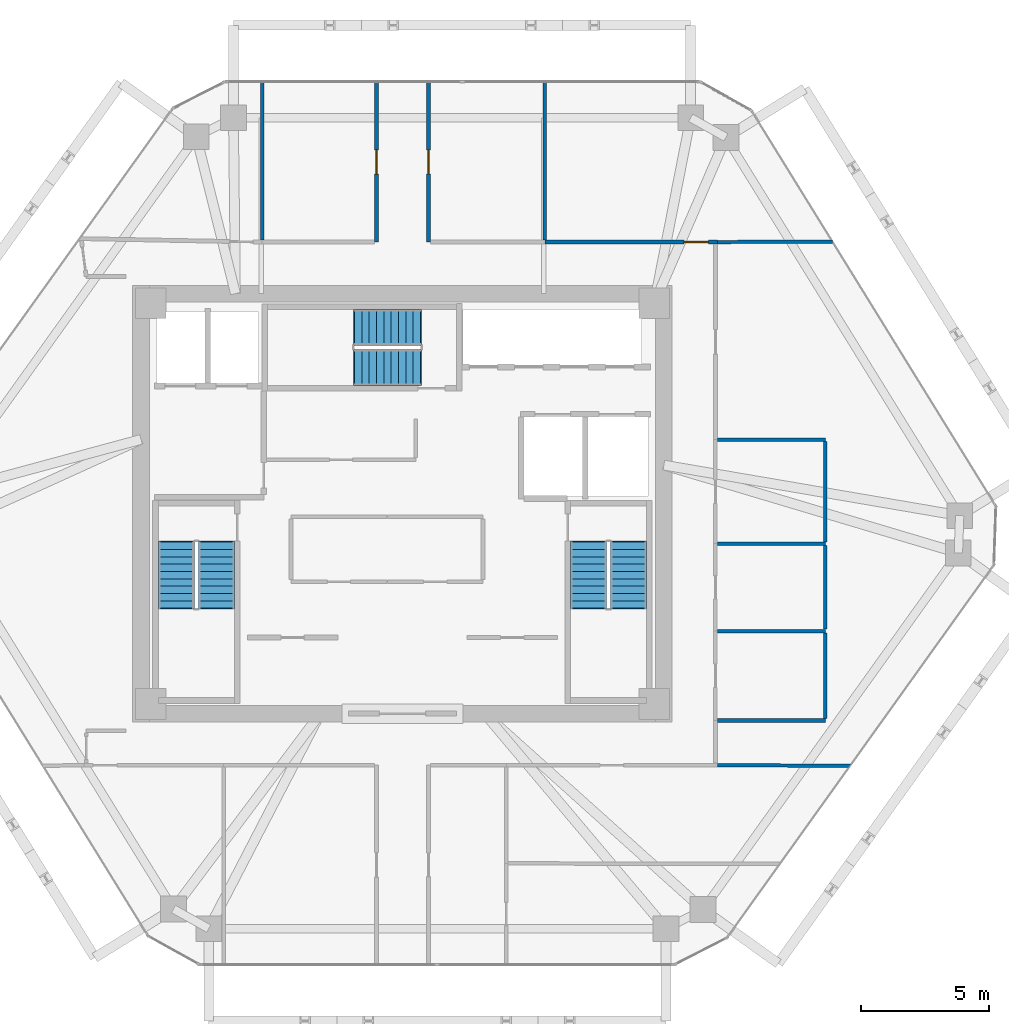
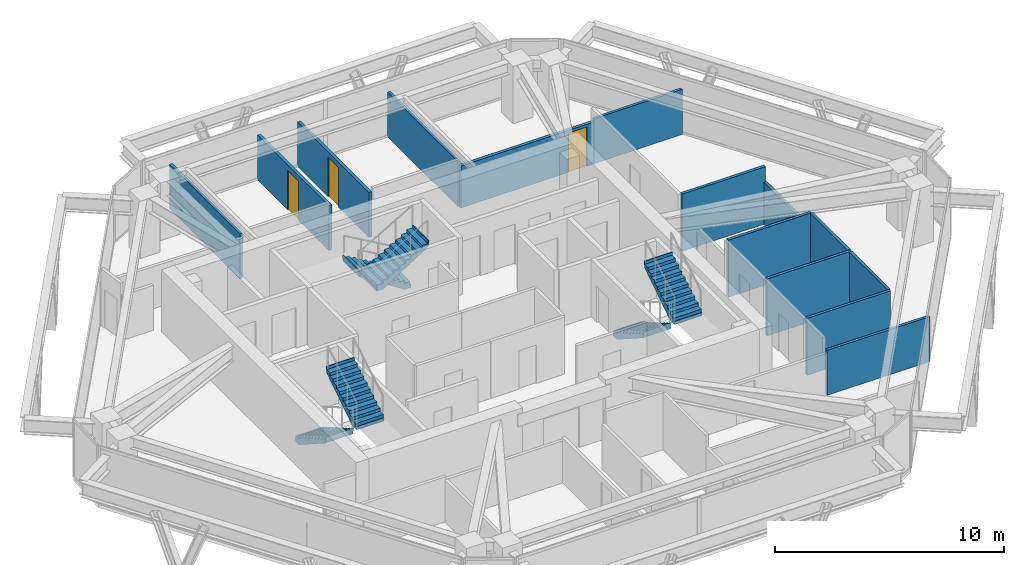
# One storey, part 10 of 11: 14 walls, 6 stair flights, 3 doors, 3 openings, 3 elements without a shape of their own.
"""IFC4 building model written with IfcOpenShell, lengths in metres."""

import ifcopenshell
import ifcopenshell.guid

model = None  # the IFC model being written
_history = None  # IfcOwnerHistory: only IFC2X3 demands one
_inside = {}  # id of a spatial element -> (the spatial element, [elements in it])
_under = {}  # id of a project, library or spatial element -> (it, [spatial elements below it])
_declared = {}  # id of a project -> (the project, [libraries it declares])
_typed = {}  # id of a type object -> (the type object, [elements of that type])
_made_of = {}  # id of a material, layer set ... -> (it, [elements and type objects made of it])


def new_model(schema):
    """Start an empty IFC model of exactly this schema.

    Asked for "IFC4X3", IfcOpenShell would pick the latest addendum, in which some entities
    have other attributes; the version numbers below select the first issue.
    IFC2X3 requires an IfcOwnerHistory on every rooted entity: one is made here for all.
    """
    global model, _history
    if schema == "IFC4X3":
        model = ifcopenshell.file(schema_version=(4, 3, 0, 0))
    else:
        model = ifcopenshell.file(schema=schema)
    _inside.clear()
    _under.clear()
    _declared.clear()
    _typed.clear()
    _made_of.clear()
    _history = None
    if model.schema == "IFC2X3":
        org = make("IfcOrganization", Name="unknown")
        user = make(
            "IfcPersonAndOrganization",
            ThePerson=make("IfcPerson", FamilyName="unknown"),
            TheOrganization=org,
        )
        app = make(
            "IfcApplication",
            ApplicationDeveloper=org,
            Version="unknown",
            ApplicationFullName="unknown",
            ApplicationIdentifier="unknown",
        )
        _history = make(
            "IfcOwnerHistory",
            OwningUser=user,
            OwningApplication=app,
            ChangeAction="ADDED",
            CreationDate=0,
        )
    return model


def make(cls, **values):
    """One entity of the class cls with the attributes given. An attribute that is None is left unset."""
    return model.create_entity(
        cls, **{name: value for name, value in values.items() if value is not None}
    )


def rooted(cls, **values):
    """An entity with a GlobalId (a new one), such as an element, a storey or a relation."""
    return make(cls, GlobalId=ifcopenshell.guid.new(), OwnerHistory=_history, **values)


def si_unit(unit_type, name, prefix=None):
    """IfcSIUnit, for example si_unit("LENGTHUNIT", "METRE", prefix="MILLI")."""
    return make("IfcSIUnit", UnitType=unit_type, Prefix=prefix, Name=name)


def assignment(units):
    """IfcUnitAssignment: the units of a project."""
    return None if units is None else make("IfcUnitAssignment", Units=units)


def point(xyz):
    """IfcCartesianPoint."""
    return None if xyz is None else make("IfcCartesianPoint", Coordinates=xyz)


def direction(xyz):
    """IfcDirection."""
    return None if xyz is None else make("IfcDirection", DirectionRatios=xyz)


def frame(location, z_axis=None, x_axis=None):
    """IfcAxis2Placement3D, a coordinate frame: its origin and axes. An axis left out is left unset."""
    return make(
        "IfcAxis2Placement3D",
        Location=point(location),
        Axis=direction(z_axis),
        RefDirection=direction(x_axis),
    )


def frame_2d(location, x_axis=None):
    """IfcAxis2Placement2D, a coordinate frame in the plane: its origin and x axis."""
    return make(
        "IfcAxis2Placement2D", Location=point(location), RefDirection=direction(x_axis)
    )


def origin():
    """The frame at (0, 0, 0) with its axes left unset."""
    return frame((0.0, 0.0, 0.0))


def place(relative_to, where):
    """IfcLocalPlacement: puts the frame where relative to a parent placement (None: the world)."""
    return make(
        "IfcLocalPlacement", PlacementRelTo=relative_to, RelativePlacement=where
    )


def context(
    kind, dimensions, precision=None, world=None, true_north=None, identifier=None
):
    """IfcGeometricRepresentationContext, for example the 3D "Model" context."""
    return make(
        "IfcGeometricRepresentationContext",
        ContextIdentifier=identifier,
        ContextType=kind,
        CoordinateSpaceDimension=dimensions,
        Precision=precision,
        WorldCoordinateSystem=world,
        TrueNorth=true_north,
    )


def subcontext(parent, identifier, kind, view, scale=None):
    """IfcGeometricRepresentationSubContext, for example "Body" below "Model"."""
    return make(
        "IfcGeometricRepresentationSubContext",
        ContextIdentifier=identifier,
        ContextType=kind,
        ParentContext=parent,
        TargetScale=scale,
        TargetView=view,
    )


def project(units=None, contexts=None):
    """IfcProject with its units and contexts."""
    return rooted(
        "IfcProject",
        Name="project",
        RepresentationContexts=contexts,
        UnitsInContext=assignment(units),
    )


def spatial(cls, under=None, at=None, **own):
    """A site, building, storey or space (cls), placed at a placement, below another one or the project."""
    s = rooted(cls, ObjectPlacement=at, **own)
    if under is not None:
        _under.setdefault(under.id(), (under, []))[1].append(s)
    return s


def polyline(points):
    """IfcPolyline through the points."""
    return make("IfcPolyline", Points=[point(p) for p in points])


def profile(cls, at=None, kind="AREA", **sizes):
    """A parametric profile (cls). Its sizes go by their IFC names, for example OverallWidth=200.0."""
    return make(cls, ProfileType=kind, Position=at, **sizes)


def rectangle(**sizes):
    """IfcRectangleProfileDef."""
    return profile("IfcRectangleProfileDef", **sizes)


def outline(outer, holes=None, kind="AREA"):
    """IfcArbitraryClosedProfileDef: a profile drawn as a closed curve; with holes, ...WithVoids."""
    if holes is None:
        return make("IfcArbitraryClosedProfileDef", ProfileType=kind, OuterCurve=outer)
    return make(
        "IfcArbitraryProfileDefWithVoids",
        ProfileType=kind,
        OuterCurve=outer,
        InnerCurves=holes,
    )


def extrude(swept, where, along, depth):
    """IfcExtrudedAreaSolid: the profile swept, set in the frame where, extruded along a direction by depth."""
    return make(
        "IfcExtrudedAreaSolid",
        SweptArea=swept,
        Position=where,
        ExtrudedDirection=direction(along),
        Depth=depth,
    )


def shape(context_of_items, identifier, shape_type, items):
    """IfcShapeRepresentation: the items that make up one representation, for example the "Body"."""
    return make(
        "IfcShapeRepresentation",
        ContextOfItems=context_of_items,
        RepresentationIdentifier=identifier,
        RepresentationType=shape_type,
        Items=items,
    )


def source(mapping_origin, context_of_items, identifier, shape_type, items):
    """IfcRepresentationMap: a shape defined once, which mapped items show again and again."""
    return make(
        "IfcRepresentationMap",
        MappingOrigin=mapping_origin,
        MappedRepresentation=shape(context_of_items, identifier, shape_type, items),
    )


def transform(
    local_origin,
    x_axis=None,
    y_axis=None,
    z_axis=None,
    scale=None,
    scale2=None,
    scale3=None,
    uniform=True,
):
    """IfcCartesianTransformationOperator3D, or its non-uniform kind. x_axis, y_axis, z_axis: its Axis1, 2, 3."""
    if uniform:
        return make(
            "IfcCartesianTransformationOperator3D",
            Axis1=direction(x_axis),
            Axis2=direction(y_axis),
            LocalOrigin=point(local_origin),
            Scale=scale,
            Axis3=direction(z_axis),
        )
    return make(
        "IfcCartesianTransformationOperator3DnonUniform",
        Axis1=direction(x_axis),
        Axis2=direction(y_axis),
        LocalOrigin=point(local_origin),
        Scale=scale,
        Axis3=direction(z_axis),
        Scale2=scale2,
        Scale3=scale3,
    )


def mapped(mapping_source, mapping_target):
    """IfcMappedItem: shows the shape of a source again, moved by a transform."""
    return make(
        "IfcMappedItem", MappingSource=mapping_source, MappingTarget=mapping_target
    )


def material(Name=None, Category=None):
    """IfcMaterial."""
    return make("IfcMaterial", Name=Name, Category=Category)


def layer(
    of_material, thickness, ventilated=None, Name=None, Category=None, Priority=None
):
    """IfcMaterialLayer: one layer of a wall or slab, of a material (None: an air gap)."""
    return make(
        "IfcMaterialLayer",
        Material=of_material,
        LayerThickness=thickness,
        IsVentilated=ventilated,
        Name=Name,
        Category=Category,
        Priority=Priority,
    )


def layer_set(layers, Name=None):
    """IfcMaterialLayerSet."""
    return make("IfcMaterialLayerSet", MaterialLayers=layers, LayerSetName=Name)


def made_of(thing, what):
    """Note that an element or type object is made of a material, layer set ...; save() writes the relation."""
    if what is not None:
        _made_of.setdefault(what.id(), (what, []))[1].append(thing)
    return thing


def type_object(cls, material=None, **own):
    """A type object (cls), such as IfcWallType, which elements share."""
    return made_of(rooted(cls, **own), material)


def type_shapes(of_type, sources):
    """Give a type object the sources (RepresentationMaps) that its elements show as mapped items."""
    of_type.RepresentationMaps = sources


def element(
    cls,
    number,
    at=None,
    inside=None,
    cuts=None,
    type_object=None,
    material=None,
    context=None,
    identifier="Body",
    shape_type=None,
    held_by="IfcProductDefinitionShape",
    body=None,
    shapes=None,
    **own,
):
    """One element of the class cls, such as IfcWall. Its Tag is "e" and its number.

    at: its placement. inside: the storey or other place that contains it. cuts: it is an
    opening in that element (IfcRelVoidsElement). A single representation is given by context,
    identifier, shape_type and body (its items); several are given by shapes. held_by: the class
    of the entity that holds the representations. save() writes the other relations.
    """
    e = rooted(cls, Tag="e%d" % number, ObjectPlacement=at, **own)
    if body is not None:
        shapes = [shape(context, identifier, shape_type, body)]
    if shapes is not None:
        e.Representation = make(held_by, Representations=shapes)
    if inside is not None:
        _inside.setdefault(inside.id(), (inside, []))[1].append(e)
    if cuts is not None:
        rooted(
            "IfcRelVoidsElement", RelatingBuildingElement=cuts, RelatedOpeningElement=e
        )
    if type_object is not None:
        _typed.setdefault(type_object.id(), (type_object, []))[1].append(e)
    return made_of(e, material)


def fill(opening, filler):
    """IfcRelFillsElement: the door or window that sits in an opening."""
    return rooted(
        "IfcRelFillsElement",
        RelatingOpeningElement=opening,
        RelatedBuildingElement=filler,
    )


def aggregate(whole, parts):
    """IfcRelAggregates: a whole, such as a stair, and the parts it consists of."""
    return rooted("IfcRelAggregates", RelatingObject=whole, RelatedObjects=parts)


def save(model, path):
    """Write the relations noted so far, then the file.

    IfcRelAggregates (storeys below a building ...), IfcRelContainedInSpatialStructure (elements
    in a storey), IfcRelDefinesByType, IfcRelAssociatesMaterial and IfcRelDeclares: one each for
    every whole, place, type object, material and project.
    """
    for whole, parts in _under.values():
        aggregate(whole, parts)
    for where, things in _inside.values():
        rooted(
            "IfcRelContainedInSpatialStructure",
            RelatedElements=things,
            RelatingStructure=where,
        )
    for kind, things in _typed.values():
        rooted("IfcRelDefinesByType", RelatedObjects=things, RelatingType=kind)
    for what, things in _made_of.values():
        rooted("IfcRelAssociatesMaterial", RelatedObjects=things, RelatingMaterial=what)
    for by, libraries in _declared.values():
        rooted("IfcRelDeclares", RelatingContext=by, RelatedDefinitions=libraries)
    model.write(path)


model = new_model("IFC4")

# Units and contexts
model_context = context("Model", 3, precision=1e-05, world=origin(), true_north=direction((0.0, 1.0)))
body_context = subcontext(model_context, "Body", "Model", "MODEL_VIEW")
ifc_project = project(units=[si_unit("LENGTHUNIT", "METRE"), si_unit("AREAUNIT", "SQUARE_METRE"), si_unit("VOLUMEUNIT", "CUBIC_METRE"), si_unit("PLANEANGLEUNIT", "RADIAN"), si_unit("MASSUNIT", "GRAM", prefix="KILO")], contexts=[model_context])

# Site, building, storey
site_placement = place(None, origin())
site = spatial("IfcSite", under=ifc_project, at=site_placement, CompositionType="ELEMENT")
building_placement = place(site_placement, origin())
building = spatial("IfcBuilding", under=site, at=building_placement, Name="Durnholm Broadcast Tower", CompositionType="ELEMENT")
storey_placement = place(building_placement, frame((0.0, 0.0, 183.699951171875)))
storey = spatial("IfcBuildingStorey", under=building, at=storey_placement, Name="L50", CompositionType="ELEMENT", Elevation=183.699951171875)

# Walls
ifc_material_1 = material(Name="Gypsum Metal Stud Partition", Category="concrete")
ifc_layer_1 = layer(ifc_material_1, 0.135009765625)
ifc_layer_set_1 = layer_set([ifc_layer_1], Name="Gypsum Metal Stud Partition")
wall_type_1 = type_object("IfcWallType", Name="WALL-PART-135", PredefinedType="PARTITIONING", material=ifc_layer_set_1)
for number, where, z_axis, x_axis, name in (
    (1, (-5.4599609375, 16.41796875, 0.0), (0.0, 0.0, 1.0), (0.0, -1.0, 0.0), "L50 room dividing partition 9.10"),
    (2, (5.5400390625, 16.41796875, 0.0), (0.0, 0.0, 1.0), (0.0, -1.0, 0.0), "L50 room dividing partition 11.12"),
):
    element("IfcWall", number, at=place(storey_placement, frame(where, z_axis=z_axis, x_axis=x_axis)), inside=storey, type_object=wall_type_1, Name=name, PredefinedType="PARTITIONING", context=body_context, shape_type="SweptSolid", body=[
        extrude(rectangle(XDim=6.158935546875, YDim=0.135009765625, at=frame_2d((3.07958984375, 0.0))), origin(), (0.0, 0.0, 1.0), 2.39892578125),
    ])
wall_1_placement = place(storey_placement, frame((16.739990234375, 10.200927734375, 0.0), z_axis=(0.0, 0.0, 1.0), x_axis=(-0.999989522694, -0.004577608714, 0.0)))
element("IfcWall", 3, at=wall_1_placement, inside=storey, type_object=wall_type_1, Name="L50 room dividing partition 12.20", PredefinedType="PARTITIONING", context=body_context, shape_type="SweptSolid", body=[
    extrude(rectangle(XDim=4.47998046875, YDim=0.135009765625, at=frame_2d((2.239990234375, 0.0))), origin(), (0.0, 0.0, 1.0), 2.39892578125),
])
wall_2_placement = place(storey_placement, frame((12.260009765625, -10.180419921875, 0.0), z_axis=(0.0, 0.0, 1.0), x_axis=(0.999990144117, -0.004439782427, 0.0)))
element("IfcWall", 4, at=wall_2_placement, inside=storey, type_object=wall_type_1, Name="L50 room dividing partition 17.20", PredefinedType="PARTITIONING", context=body_context, shape_type="SweptSolid", body=[
    extrude(rectangle(XDim=5.1689453125, YDim=0.135009765625, at=frame_2d((2.58447265625, 0.0))), origin(), (0.0, 0.0, 1.0), 2.39892578125),
])

# Wall, opening, door
ifc_material_2 = material(Name="Acoustic Gypsum Stud Partition", Category="concrete")
ifc_layer_2 = layer(ifc_material_2, 0.14990234375)
ifc_layer_set_2 = layer_set([ifc_layer_2], Name="Acoustic Gypsum Stud Partition")
wall_type_2 = type_object("IfcWallType", Name="WALL-PART-150", PredefinedType="PARTITIONING", material=ifc_layer_set_2)
wall_3_placement = place(storey_placement, frame((-1.010009765625, 16.41796875, 0.0), z_axis=(0.0, 0.0, 1.0), x_axis=(0.0, -1.0, 0.0)))
wall_3 = element("IfcWall", 5, at=wall_3_placement, inside=storey, type_object=wall_type_2, Name="L50 Subscriber Viewing Lounge 2 corridor partition", PredefinedType="PARTITIONING", context=body_context, shape_type="SweptSolid", body=[
    extrude(rectangle(XDim=6.238037109375, YDim=0.14990234375, at=frame_2d((3.119140625, 0.0))), origin(), (0.0, 0.0, 1.0), 2.39892578125),
])
opening_1_placement = place(wall_3_placement, frame((2.64404296875, 0.0, 0.0)))
opening_1 = element("IfcOpeningElement", 6, at=opening_1_placement, cuts=wall_3, Name="Opening DR-95R", PredefinedType="OPENING", context=body_context, shape_type="SweptSolid", body=[
    extrude(rectangle(XDim=0.949951171875, YDim=2.10009765625, at=frame_2d((0.47509765625, 1.050048828125))), frame((0.0, 0.0849609375, 0.0), z_axis=(0.0, -1.0, 0.0), x_axis=(1.0, 0.0, 0.0)), (0.0, 0.0, 1.0), 0.169921875),
])
ifc_material_3 = material(Name="Acoustic Oak Veneer Timber Door", Category="wood")
ifc_layer_3 = layer(ifc_material_3, 0.050048828125)
ifc_layer_set_3 = layer_set([ifc_layer_3], Name="Acoustic Oak Veneer Timber Door")
door_type_1 = type_object("IfcDoorType", Name="DOOR-RM-950R", OperationType="NOTDEFINED", PredefinedType="DOOR", material=ifc_layer_set_3)
shared_shape_1 = source(origin(), body_context, "Body", "SweptSolid", [
    extrude(rectangle(XDim=0.949951171875, YDim=2.10009765625, at=frame_2d((0.47509765625, 1.050048828125))), frame((0.0, 0.02490234375, 0.0), z_axis=(0.0, -1.0, 0.0), x_axis=(1.0, 0.0, 0.0)), (0.0, 0.0, 1.0), 0.050048828125),
])
type_shapes(door_type_1, [shared_shape_1])
door_1_placement = place(opening_1_placement, origin())
door_1 = element("IfcDoor", 7, at=door_1_placement, inside=storey, type_object=door_type_1, Name="L50 Subscriber Viewing Lounge 2 entrance door", OperationType="SINGLE_SWING_RIGHT", OverallHeight=2.10009765625, OverallWidth=0.949951171875, PredefinedType="DOOR", context=body_context, shape_type="MappedRepresentation", body=[
    mapped(shared_shape_1, transform((0.0, 0.0, 0.0), x_axis=(1.0, 0.0, 0.0), y_axis=(0.0, 1.0, 0.0), z_axis=(0.0, 0.0, 1.0), scale=1.0)),
])
fill(opening_1, door_1)

wall_4_placement = place(storey_placement, frame((1.010009765625, 10.179931640625, 0.0), z_axis=(0.0, 0.0, 1.0), x_axis=(0.0, 1.0, 0.0)))
wall_4 = element("IfcWall", 8, at=wall_4_placement, inside=storey, type_object=wall_type_2, Name="L50 Subscriber Viewing Lounge 3 corridor partition", PredefinedType="PARTITIONING", context=body_context, shape_type="SweptSolid", body=[
    extrude(rectangle(XDim=6.238037109375, YDim=0.14990234375, at=frame_2d((3.119140625, 0.0))), origin(), (0.0, 0.0, 1.0), 2.39892578125),
])
opening_2_placement = place(wall_4_placement, frame((2.658935546875, 0.0, 0.0)))
opening_2 = element("IfcOpeningElement", 9, at=opening_2_placement, cuts=wall_4, Name="Opening DR-92L", PredefinedType="OPENING", context=body_context, shape_type="SweptSolid", body=[
    extrude(rectangle(XDim=0.919921875, YDim=2.10009765625, at=frame_2d((0.4599609375, 1.050048828125))), frame((0.0, 0.0849609375, 0.0), z_axis=(0.0, -1.0, 0.0), x_axis=(1.0, 0.0, 0.0)), (0.0, 0.0, 1.0), 0.169921875),
])
ifc_material_4 = material(Name="Oak Veneer Office Door", Category="wood")
ifc_layer_4 = layer(ifc_material_4, 0.050048828125)
ifc_layer_set_4 = layer_set([ifc_layer_4], Name="Oak Veneer Office Door")
door_type_2 = type_object("IfcDoorType", Name="DOOR-RM-920L", OperationType="NOTDEFINED", PredefinedType="DOOR", material=ifc_layer_set_4)
shared_shape_2 = source(origin(), body_context, "Body", "SweptSolid", [
    extrude(rectangle(XDim=0.919921875, YDim=2.10009765625, at=frame_2d((0.4599609375, 1.050048828125))), frame((0.0, 0.02490234375, 0.0), z_axis=(0.0, -1.0, 0.0), x_axis=(1.0, 0.0, 0.0)), (0.0, 0.0, 1.0), 0.050048828125),
])
type_shapes(door_type_2, [shared_shape_2])
door_2_placement = place(opening_2_placement, origin())
door_2 = element("IfcDoor", 10, at=door_2_placement, inside=storey, type_object=door_type_2, Name="L50 Subscriber Viewing Lounge 3 entrance door", OperationType="SINGLE_SWING_LEFT", OverallHeight=2.10009765625, OverallWidth=0.919921875, PredefinedType="DOOR", context=body_context, shape_type="MappedRepresentation", body=[
    mapped(shared_shape_2, transform((0.0, 0.0, 0.0), x_axis=(1.0, 0.0, 0.0), y_axis=(0.0, 1.0, 0.0), z_axis=(0.0, 0.0, 1.0), scale=1.0)),
])
fill(opening_2, door_2)

wall_5_placement = place(storey_placement, frame((12.260009765625, 10.179931640625, 0.0), z_axis=(0.0, 0.0, 1.0), x_axis=(-1.0, 0.0, 0.0)))
wall_5 = element("IfcWall", 11, at=wall_5_placement, inside=storey, type_object=wall_type_2, Name="L50 Open Plan Broadcast Workspace 5 corridor partition", PredefinedType="PARTITIONING", context=body_context, shape_type="SweptSolid", body=[
    extrude(rectangle(XDim=6.719970703125, YDim=0.14990234375, at=frame_2d((3.35986328125, 0.0))), origin(), (0.0, 0.0, 1.0), 2.241943359375),
])
opening_3_placement = place(wall_5_placement, frame((0.35009765625, 0.0, 0.0)))
opening_3 = element("IfcOpeningElement", 12, at=opening_3_placement, cuts=wall_5, Name="Opening DR-95R", PredefinedType="OPENING", context=body_context, shape_type="SweptSolid", body=[
    extrude(rectangle(XDim=0.949951171875, YDim=2.10009765625, at=frame_2d((0.47509765625, 1.050048828125))), frame((0.0, 0.0849609375, 0.0), z_axis=(0.0, -1.0, 0.0), x_axis=(1.0, 0.0, 0.0)), (0.0, 0.0, 1.0), 0.169921875),
])
door_3_placement = place(opening_3_placement, origin())
door_3 = element("IfcDoor", 13, at=door_3_placement, inside=storey, type_object=door_type_1, Name="L50 Open Plan Broadcast Workspace 5 entrance door", OperationType="SINGLE_SWING_RIGHT", OverallHeight=2.10009765625, OverallWidth=0.949951171875, PredefinedType="DOOR", context=body_context, shape_type="MappedRepresentation", body=[
    mapped(shared_shape_1, transform((0.0, 0.0, 0.0), x_axis=(1.0, 0.0, 0.0), y_axis=(0.0, 1.0, 0.0), z_axis=(0.0, 0.0, 1.0), scale=1.0)),
])
fill(opening_3, door_3)

# Walls
ifc_material_5 = material(Name="Moisture-Resistant Tile Partition", Category="concrete")
ifc_layer_5 = layer(ifc_material_5, 0.139892578125)
ifc_layer_set_5 = layer_set([ifc_layer_5], Name="Moisture-Resistant Tile Partition")
wall_type_3 = type_object("IfcWallType", Name="WALL-WC-140", PredefinedType="PARTITIONING", material=ifc_layer_set_5)
wall_6_placement = place(storey_placement, frame((12.25390625, -4.9599609375, 0.0), z_axis=(0.0, 0.0, 1.0), x_axis=(1.0, 0.0, 0.0)))
element("IfcWall", 14, at=wall_6_placement, inside=storey, type_object=wall_type_3, Name="L50 room dividing partition 6.7", PredefinedType="PARTITIONING", context=body_context, shape_type="SweptSolid", body=[
    extrude(rectangle(XDim=4.2060546875, YDim=0.139892578125, at=frame_2d((2.10302734375, 0.0))), origin(), (0.0, 0.0, 1.0), 3.045166015625),
])
wall_7_placement = place(storey_placement, frame((16.4599609375, -8.43994140625, 0.0), z_axis=(0.0, 0.0, 1.0), x_axis=(-1.0, 0.0, 0.0)))
element("IfcWall", 15, at=wall_7_placement, inside=storey, type_object=wall_type_3, Name="L50 room dividing partition 6.20", PredefinedType="PARTITIONING", context=body_context, shape_type="SweptSolid", body=[
    extrude(rectangle(XDim=4.200927734375, YDim=0.139892578125, at=frame_2d((2.1005859375, 0.0))), origin(), (0.0, 0.0, 1.0), 3.045166015625),
])
wall_8_placement = place(storey_placement, frame((16.4599609375, -5.033935546875, 0.0), z_axis=(0.0, 0.0, 1.0), x_axis=(0.0, -1.0, 0.0)))
element("IfcWall", 16, at=wall_8_placement, inside=storey, type_object=wall_type_3, Name="L50 room dividing partition 6.20", PredefinedType="PARTITIONING", context=body_context, shape_type="SweptSolid", body=[
    extrude(rectangle(XDim=3.33203125, YDim=0.139892578125, at=frame_2d((1.666015625, 0.0))), origin(), (0.0, 0.0, 1.0), 3.045166015625),
])
wall_9_placement = place(storey_placement, frame((12.25390625, -1.56005859375, 0.0), z_axis=(0.0, 0.0, 1.0), x_axis=(1.0, 0.0, 0.0)))
element("IfcWall", 17, at=wall_9_placement, inside=storey, type_object=wall_type_3, Name="L50 room dividing partition 7.8", PredefinedType="PARTITIONING", context=body_context, shape_type="SweptSolid", body=[
    extrude(rectangle(XDim=4.2060546875, YDim=0.139892578125, at=frame_2d((2.10302734375, 0.0))), origin(), (0.0, 0.0, 1.0), 3.045166015625),
])
wall_10_placement = place(storey_placement, frame((16.4599609375, -1.634033203125, 0.0), z_axis=(0.0, 0.0, 1.0), x_axis=(0.0, -1.0, 0.0)))
element("IfcWall", 18, at=wall_10_placement, inside=storey, type_object=wall_type_3, Name="L50 room dividing partition 7.20", PredefinedType="PARTITIONING", context=body_context, shape_type="SweptSolid", body=[
    extrude(rectangle(XDim=3.251953125, YDim=0.139892578125, at=frame_2d((1.6259765625, 0.0))), origin(), (0.0, 0.0, 1.0), 3.045166015625),
])
wall_11_placement = place(storey_placement, frame((12.259033203125, 2.489990234375, 0.0), z_axis=(0.0, 0.0, 1.0), x_axis=(1.0, 0.0, 0.0)))
element("IfcWall", 19, at=wall_11_placement, inside=storey, type_object=wall_type_3, Name="L50 room dividing partition 8.20", PredefinedType="PARTITIONING", context=body_context, shape_type="SweptSolid", body=[
    extrude(rectangle(XDim=4.200927734375, YDim=0.139892578125, at=frame_2d((2.1005859375, 0.0))), origin(), (0.0, 0.0, 1.0), 3.045166015625),
])
wall_12_placement = place(storey_placement, frame((16.4599609375, 2.416015625, 0.0), z_axis=(0.0, 0.0, 1.0), x_axis=(0.0, -1.0, 0.0)))
element("IfcWall", 20, at=wall_12_placement, inside=storey, type_object=wall_type_3, Name="L50 room dividing partition 8.20", PredefinedType="PARTITIONING", context=body_context, shape_type="SweptSolid", body=[
    extrude(rectangle(XDim=3.902099609375, YDim=0.139892578125, at=frame_2d((1.951171875, 0.0))), origin(), (0.0, 0.0, 1.0), 2.241943359375),
])

# Stair, stair flights
ifc_material_6 = material(Name="Concrete C50/60", Category="concrete")
stair_type = type_object("IfcStairType", Name="STAIR-DL-20R1650", PredefinedType="HALF_TURN_STAIR", material=ifc_material_6)
stair_1_placement = place(storey_placement, origin())
stair_1 = element("IfcStair", 21, at=stair_1_placement, inside=storey, type_object=stair_type, Name="L50 ST-1", PredefinedType="HALF_TURN_STAIR")
stair_flight_type = type_object("IfcStairFlightType", Name="FLIGHT-DL-20R1650", PredefinedType="STRAIGHT", material=ifc_material_6)
stair_flight_1_placement = place(storey_placement, frame((-8.800048828125, -1.5, 0.0), z_axis=(0.0, 0.0, 1.0), x_axis=(0.0, -1.0, 0.0)))
stair_flight_1 = element("IfcStairFlight", 22, at=stair_flight_1_placement, type_object=stair_flight_type, Name="ST-1 flight 1", NumberOfRisers=10, NumberOfTreads=9, PredefinedType="STRAIGHT", RiserHeight=0.165, TreadLength=0.285, context=body_context, shape_type="SweptSolid", body=[
    extrude(outline(polyline([(-0.0400390625, -0.14990234375), (-0.0400390625, 0.0), (0.0, 0.0), (0.0, 0.1650390625), (0.284912109375, 0.1650390625), (0.284912109375, 0.330078125), (0.570068359375, 0.330078125), (0.570068359375, 0.4951171875), (0.85498046875, 0.4951171875), (0.85498046875, 0.659912109375), (1.139892578125, 0.659912109375), (1.139892578125, 0.824951171875), (1.425048828125, 0.824951171875), (1.425048828125, 0.989990234375), (1.7099609375, 0.989990234375), (1.7099609375, 1.155029296875), (1.9951171875, 1.155029296875), (1.9951171875, 1.320068359375), (2.280029296875, 1.320068359375), (2.280029296875, 1.485107421875), (2.56494140625, 1.485107421875), (2.56494140625, 1.64990234375), (2.60498046875, 1.64990234375), (2.60498046875, 1.5), (2.56494140625, 1.311767578125), (0.299072265625, -0.14990234375), (-0.0400390625, -0.14990234375)])), frame((0.0, 0.699951171875, 0.0), z_axis=(0.0, -1.0, 0.0), x_axis=(1.0, 0.0, 0.0)), (0.0, 0.0, 1.0), 1.39990234375),
])
stair_flight_2_placement = place(storey_placement, frame((-7.239990234375, -4.06494140625, 1.650146484375), z_axis=(0.0, 0.0, 1.0), x_axis=(0.0, 1.0, 0.0)))
stair_flight_2 = element("IfcStairFlight", 23, at=stair_flight_2_placement, type_object=stair_flight_type, Name="ST-1 flight 2", NumberOfRisers=10, NumberOfTreads=9, PredefinedType="STRAIGHT", RiserHeight=0.165, TreadLength=0.285, context=body_context, shape_type="SweptSolid", body=[
    extrude(outline(polyline([(-0.0400390625, -0.14990234375), (-0.0400390625, 0.0), (0.0, 0.0), (0.0, 0.1650390625), (0.284912109375, 0.1650390625), (0.284912109375, 0.330078125), (0.570068359375, 0.330078125), (0.570068359375, 0.4951171875), (0.85498046875, 0.4951171875), (0.85498046875, 0.659912109375), (1.139892578125, 0.659912109375), (1.139892578125, 0.824951171875), (1.425048828125, 0.824951171875), (1.425048828125, 0.989990234375), (1.7099609375, 0.989990234375), (1.7099609375, 1.155029296875), (1.9951171875, 1.155029296875), (1.9951171875, 1.320068359375), (2.280029296875, 1.320068359375), (2.280029296875, 1.485107421875), (2.56494140625, 1.485107421875), (2.56494140625, 1.64990234375), (2.60498046875, 1.64990234375), (2.60498046875, 1.5), (2.56494140625, 1.311767578125), (0.299072265625, -0.14990234375), (-0.0400390625, -0.14990234375)])), frame((0.0, 0.699951171875, 0.0), z_axis=(0.0, -1.0, 0.0), x_axis=(1.0, 0.0, 0.0)), (0.0, 0.0, 1.0), 1.39990234375),
])
aggregate(stair_1, [stair_flight_1, stair_flight_2])

stair_2_placement = place(storey_placement, origin())
stair_2 = element("IfcStair", 24, at=stair_2_placement, inside=storey, type_object=stair_type, Name="L50 ST-2", PredefinedType="HALF_TURN_STAIR")
stair_flight_3_placement = place(storey_placement, frame((7.239990234375, -1.5, 0.0), z_axis=(0.0, 0.0, 1.0), x_axis=(0.0, -1.0, 0.0)))
stair_flight_3 = element("IfcStairFlight", 25, at=stair_flight_3_placement, type_object=stair_flight_type, Name="ST-2 flight 1", NumberOfRisers=10, NumberOfTreads=9, PredefinedType="STRAIGHT", RiserHeight=0.165, TreadLength=0.285, context=body_context, shape_type="SweptSolid", body=[
    extrude(outline(polyline([(-0.0400390625, -0.14990234375), (-0.0400390625, 0.0), (0.0, 0.0), (0.0, 0.1650390625), (0.284912109375, 0.1650390625), (0.284912109375, 0.330078125), (0.570068359375, 0.330078125), (0.570068359375, 0.4951171875), (0.85498046875, 0.4951171875), (0.85498046875, 0.659912109375), (1.139892578125, 0.659912109375), (1.139892578125, 0.824951171875), (1.425048828125, 0.824951171875), (1.425048828125, 0.989990234375), (1.7099609375, 0.989990234375), (1.7099609375, 1.155029296875), (1.9951171875, 1.155029296875), (1.9951171875, 1.320068359375), (2.280029296875, 1.320068359375), (2.280029296875, 1.485107421875), (2.56494140625, 1.485107421875), (2.56494140625, 1.64990234375), (2.60498046875, 1.64990234375), (2.60498046875, 1.5), (2.56494140625, 1.311767578125), (0.299072265625, -0.14990234375), (-0.0400390625, -0.14990234375)])), frame((0.0, 0.699951171875, 0.0), z_axis=(0.0, -1.0, 0.0), x_axis=(1.0, 0.0, 0.0)), (0.0, 0.0, 1.0), 1.39990234375),
])
stair_flight_4_placement = place(storey_placement, frame((8.800048828125, -4.06494140625, 1.650146484375), z_axis=(0.0, 0.0, 1.0), x_axis=(0.0, 1.0, 0.0)))
stair_flight_4 = element("IfcStairFlight", 26, at=stair_flight_4_placement, type_object=stair_flight_type, Name="ST-2 flight 2", NumberOfRisers=10, NumberOfTreads=9, PredefinedType="STRAIGHT", RiserHeight=0.165, TreadLength=0.285, context=body_context, shape_type="SweptSolid", body=[
    extrude(outline(polyline([(-0.0400390625, -0.14990234375), (-0.0400390625, 0.0), (0.0, 0.0), (0.0, 0.1650390625), (0.284912109375, 0.1650390625), (0.284912109375, 0.330078125), (0.570068359375, 0.330078125), (0.570068359375, 0.4951171875), (0.85498046875, 0.4951171875), (0.85498046875, 0.659912109375), (1.139892578125, 0.659912109375), (1.139892578125, 0.824951171875), (1.425048828125, 0.824951171875), (1.425048828125, 0.989990234375), (1.7099609375, 0.989990234375), (1.7099609375, 1.155029296875), (1.9951171875, 1.155029296875), (1.9951171875, 1.320068359375), (2.280029296875, 1.320068359375), (2.280029296875, 1.485107421875), (2.56494140625, 1.485107421875), (2.56494140625, 1.64990234375), (2.60498046875, 1.64990234375), (2.60498046875, 1.5), (2.56494140625, 1.311767578125), (0.299072265625, -0.14990234375), (-0.0400390625, -0.14990234375)])), frame((0.0, 0.699951171875, 0.0), z_axis=(0.0, -1.0, 0.0), x_axis=(1.0, 0.0, 0.0)), (0.0, 0.0, 1.0), 1.39990234375),
])
aggregate(stair_2, [stair_flight_3, stair_flight_4])

stair_3_placement = place(storey_placement, origin())
stair_3 = element("IfcStair", 27, at=stair_3_placement, inside=storey, type_object=stair_type, Name="L50 ST-3", PredefinedType="HALF_TURN_STAIR")
stair_flight_5_placement = place(storey_placement, frame((0.699951171875, 6.860107421875, 0.0), z_axis=(0.0, 0.0, 1.0), x_axis=(-1.0, 0.0, 0.0)))
stair_flight_5 = element("IfcStairFlight", 28, at=stair_flight_5_placement, type_object=stair_flight_type, Name="ST-3 flight 1", NumberOfRisers=10, NumberOfTreads=9, PredefinedType="STRAIGHT", RiserHeight=0.165, TreadLength=0.285, context=body_context, shape_type="SweptSolid", body=[
    extrude(outline(polyline([(-0.0400390625, -0.14990234375), (-0.0400390625, 0.0), (0.0, 0.0), (0.0, 0.1650390625), (0.284912109375, 0.1650390625), (0.284912109375, 0.330078125), (0.570068359375, 0.330078125), (0.570068359375, 0.4951171875), (0.85498046875, 0.4951171875), (0.85498046875, 0.659912109375), (1.139892578125, 0.659912109375), (1.139892578125, 0.824951171875), (1.425048828125, 0.824951171875), (1.425048828125, 0.989990234375), (1.7099609375, 0.989990234375), (1.7099609375, 1.155029296875), (1.9951171875, 1.155029296875), (1.9951171875, 1.320068359375), (2.280029296875, 1.320068359375), (2.280029296875, 1.485107421875), (2.56494140625, 1.485107421875), (2.56494140625, 1.64990234375), (2.60498046875, 1.64990234375), (2.60498046875, 1.5), (2.56494140625, 1.311767578125), (0.299072265625, -0.14990234375), (-0.0400390625, -0.14990234375)])), frame((0.0, 0.699951171875, 0.0), z_axis=(0.0, -1.0, 0.0), x_axis=(1.0, 0.0, 0.0)), (0.0, 0.0, 1.0), 1.39990234375),
])
stair_flight_6_placement = place(storey_placement, frame((-1.864990234375, 5.300048828125, 1.650146484375), z_axis=(0.0, 0.0, 1.0), x_axis=(1.0, 0.0, 0.0)))
stair_flight_6 = element("IfcStairFlight", 29, at=stair_flight_6_placement, type_object=stair_flight_type, Name="ST-3 flight 2", NumberOfRisers=10, NumberOfTreads=9, PredefinedType="STRAIGHT", RiserHeight=0.165, TreadLength=0.285, context=body_context, shape_type="SweptSolid", body=[
    extrude(outline(polyline([(-0.0400390625, -0.14990234375), (-0.0400390625, 0.0), (0.0, 0.0), (0.0, 0.1650390625), (0.284912109375, 0.1650390625), (0.284912109375, 0.330078125), (0.570068359375, 0.330078125), (0.570068359375, 0.4951171875), (0.85498046875, 0.4951171875), (0.85498046875, 0.659912109375), (1.139892578125, 0.659912109375), (1.139892578125, 0.824951171875), (1.425048828125, 0.824951171875), (1.425048828125, 0.989990234375), (1.7099609375, 0.989990234375), (1.7099609375, 1.155029296875), (1.9951171875, 1.155029296875), (1.9951171875, 1.320068359375), (2.280029296875, 1.320068359375), (2.280029296875, 1.485107421875), (2.56494140625, 1.485107421875), (2.56494140625, 1.64990234375), (2.60498046875, 1.64990234375), (2.60498046875, 1.5), (2.56494140625, 1.311767578125), (0.299072265625, -0.14990234375), (-0.0400390625, -0.14990234375)])), frame((0.0, 0.699951171875, 0.0), z_axis=(0.0, -1.0, 0.0), x_axis=(1.0, 0.0, 0.0)), (0.0, 0.0, 1.0), 1.39990234375),
])
aggregate(stair_3, [stair_flight_5, stair_flight_6])

save(model, "model.ifc")
